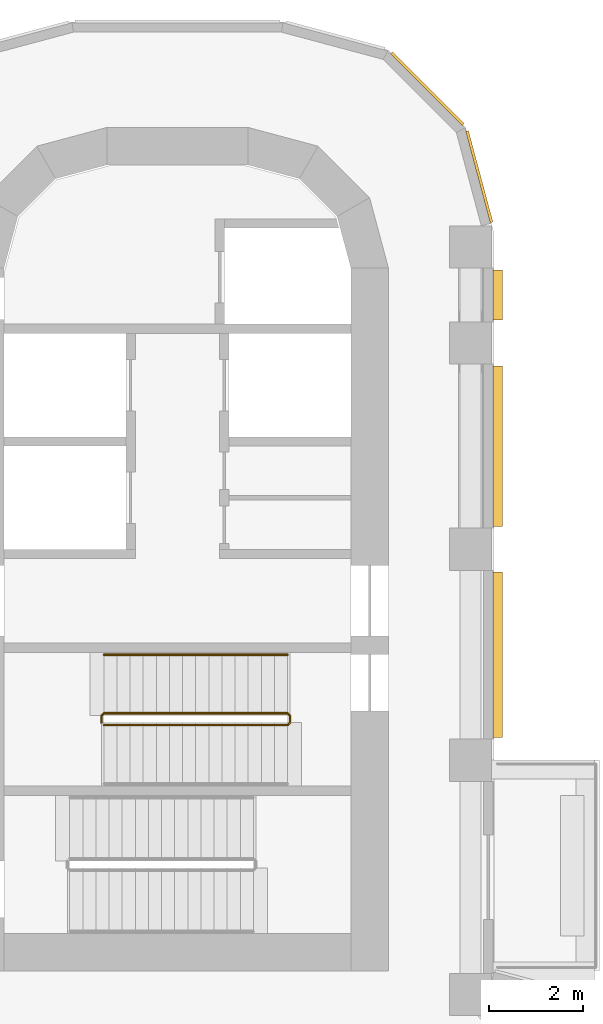
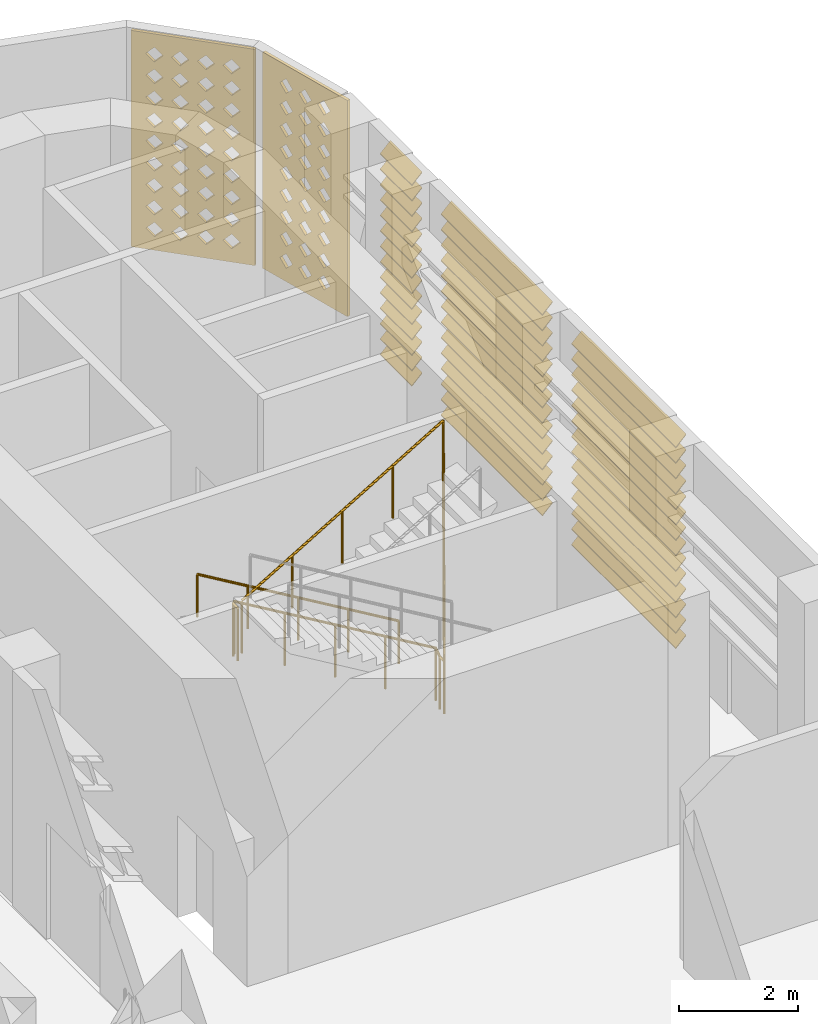
# One storey, part 18 of 20: 3 shading devices, 2 coverings, 2 railings.
"""IFC4 building model written with IfcOpenShell, lengths in metres."""

import ifcopenshell
import ifcopenshell.guid

model = None  # the IFC model being written
_history = None  # IfcOwnerHistory: only IFC2X3 demands one
_inside = {}  # id of a spatial element -> (the spatial element, [elements in it])
_under = {}  # id of a project, library or spatial element -> (it, [spatial elements below it])
_declared = {}  # id of a project -> (the project, [libraries it declares])
_typed = {}  # id of a type object -> (the type object, [elements of that type])
_made_of = {}  # id of a material, layer set ... -> (it, [elements and type objects made of it])


def new_model(schema):
    """Start an empty IFC model of exactly this schema.

    Asked for "IFC4X3", IfcOpenShell would pick the latest addendum, in which some entities
    have other attributes; the version numbers below select the first issue.
    IFC2X3 requires an IfcOwnerHistory on every rooted entity: one is made here for all.
    """
    global model, _history
    if schema == "IFC4X3":
        model = ifcopenshell.file(schema_version=(4, 3, 0, 0))
    else:
        model = ifcopenshell.file(schema=schema)
    _inside.clear()
    _under.clear()
    _declared.clear()
    _typed.clear()
    _made_of.clear()
    _history = None
    if model.schema == "IFC2X3":
        org = make("IfcOrganization", Name="unknown")
        user = make(
            "IfcPersonAndOrganization",
            ThePerson=make("IfcPerson", FamilyName="unknown"),
            TheOrganization=org,
        )
        app = make(
            "IfcApplication",
            ApplicationDeveloper=org,
            Version="unknown",
            ApplicationFullName="unknown",
            ApplicationIdentifier="unknown",
        )
        _history = make(
            "IfcOwnerHistory",
            OwningUser=user,
            OwningApplication=app,
            ChangeAction="ADDED",
            CreationDate=0,
        )
    return model


def make(cls, **values):
    """One entity of the class cls with the attributes given. An attribute that is None is left unset."""
    return model.create_entity(
        cls, **{name: value for name, value in values.items() if value is not None}
    )


def rooted(cls, **values):
    """An entity with a GlobalId (a new one), such as an element, a storey or a relation."""
    return make(cls, GlobalId=ifcopenshell.guid.new(), OwnerHistory=_history, **values)


def si_unit(unit_type, name, prefix=None):
    """IfcSIUnit, for example si_unit("LENGTHUNIT", "METRE", prefix="MILLI")."""
    return make("IfcSIUnit", UnitType=unit_type, Prefix=prefix, Name=name)


def assignment(units):
    """IfcUnitAssignment: the units of a project."""
    return None if units is None else make("IfcUnitAssignment", Units=units)


def point(xyz):
    """IfcCartesianPoint."""
    return None if xyz is None else make("IfcCartesianPoint", Coordinates=xyz)


def direction(xyz):
    """IfcDirection."""
    return None if xyz is None else make("IfcDirection", DirectionRatios=xyz)


def frame(location, z_axis=None, x_axis=None):
    """IfcAxis2Placement3D, a coordinate frame: its origin and axes. An axis left out is left unset."""
    return make(
        "IfcAxis2Placement3D",
        Location=point(location),
        Axis=direction(z_axis),
        RefDirection=direction(x_axis),
    )


def frame_2d(location, x_axis=None):
    """IfcAxis2Placement2D, a coordinate frame in the plane: its origin and x axis."""
    return make(
        "IfcAxis2Placement2D", Location=point(location), RefDirection=direction(x_axis)
    )


def origin():
    """The frame at (0, 0, 0) with its axes left unset."""
    return frame((0.0, 0.0, 0.0))


def origin_2d():
    """The frame at (0, 0) in the plane with its x axis left unset."""
    return frame_2d((0.0, 0.0))


def place(relative_to, where):
    """IfcLocalPlacement: puts the frame where relative to a parent placement (None: the world)."""
    return make(
        "IfcLocalPlacement", PlacementRelTo=relative_to, RelativePlacement=where
    )


def context(
    kind, dimensions, precision=None, world=None, true_north=None, identifier=None
):
    """IfcGeometricRepresentationContext, for example the 3D "Model" context."""
    return make(
        "IfcGeometricRepresentationContext",
        ContextIdentifier=identifier,
        ContextType=kind,
        CoordinateSpaceDimension=dimensions,
        Precision=precision,
        WorldCoordinateSystem=world,
        TrueNorth=true_north,
    )


def subcontext(parent, identifier, kind, view, scale=None):
    """IfcGeometricRepresentationSubContext, for example "Body" below "Model"."""
    return make(
        "IfcGeometricRepresentationSubContext",
        ContextIdentifier=identifier,
        ContextType=kind,
        ParentContext=parent,
        TargetScale=scale,
        TargetView=view,
    )


def project(units=None, contexts=None):
    """IfcProject with its units and contexts."""
    return rooted(
        "IfcProject",
        Name="project",
        RepresentationContexts=contexts,
        UnitsInContext=assignment(units),
    )


def spatial(cls, under=None, at=None, **own):
    """A site, building, storey or space (cls), placed at a placement, below another one or the project."""
    s = rooted(cls, ObjectPlacement=at, **own)
    if under is not None:
        _under.setdefault(under.id(), (under, []))[1].append(s)
    return s


def polyline(points):
    """IfcPolyline through the points."""
    return make("IfcPolyline", Points=[point(p) for p in points])


def profile(cls, at=None, kind="AREA", **sizes):
    """A parametric profile (cls). Its sizes go by their IFC names, for example OverallWidth=200.0."""
    return make(cls, ProfileType=kind, Position=at, **sizes)


def circle(**sizes):
    """IfcCircleProfileDef."""
    return profile("IfcCircleProfileDef", **sizes)


def outline(outer, holes=None, kind="AREA"):
    """IfcArbitraryClosedProfileDef: a profile drawn as a closed curve; with holes, ...WithVoids."""
    if holes is None:
        return make("IfcArbitraryClosedProfileDef", ProfileType=kind, OuterCurve=outer)
    return make(
        "IfcArbitraryProfileDefWithVoids",
        ProfileType=kind,
        OuterCurve=outer,
        InnerCurves=holes,
    )


def extrude(swept, where, along, depth):
    """IfcExtrudedAreaSolid: the profile swept, set in the frame where, extruded along a direction by depth."""
    return make(
        "IfcExtrudedAreaSolid",
        SweptArea=swept,
        Position=where,
        ExtrudedDirection=direction(along),
        Depth=depth,
    )


def shape(context_of_items, identifier, shape_type, items):
    """IfcShapeRepresentation: the items that make up one representation, for example the "Body"."""
    return make(
        "IfcShapeRepresentation",
        ContextOfItems=context_of_items,
        RepresentationIdentifier=identifier,
        RepresentationType=shape_type,
        Items=items,
    )


def source(mapping_origin, context_of_items, identifier, shape_type, items):
    """IfcRepresentationMap: a shape defined once, which mapped items show again and again."""
    return make(
        "IfcRepresentationMap",
        MappingOrigin=mapping_origin,
        MappedRepresentation=shape(context_of_items, identifier, shape_type, items),
    )


def transform(
    local_origin,
    x_axis=None,
    y_axis=None,
    z_axis=None,
    scale=None,
    scale2=None,
    scale3=None,
    uniform=True,
):
    """IfcCartesianTransformationOperator3D, or its non-uniform kind. x_axis, y_axis, z_axis: its Axis1, 2, 3."""
    if uniform:
        return make(
            "IfcCartesianTransformationOperator3D",
            Axis1=direction(x_axis),
            Axis2=direction(y_axis),
            LocalOrigin=point(local_origin),
            Scale=scale,
            Axis3=direction(z_axis),
        )
    return make(
        "IfcCartesianTransformationOperator3DnonUniform",
        Axis1=direction(x_axis),
        Axis2=direction(y_axis),
        LocalOrigin=point(local_origin),
        Scale=scale,
        Axis3=direction(z_axis),
        Scale2=scale2,
        Scale3=scale3,
    )


def mapped(mapping_source, mapping_target):
    """IfcMappedItem: shows the shape of a source again, moved by a transform."""
    return make(
        "IfcMappedItem", MappingSource=mapping_source, MappingTarget=mapping_target
    )


def material(Name=None, Category=None):
    """IfcMaterial."""
    return make("IfcMaterial", Name=Name, Category=Category)


def layer(
    of_material, thickness, ventilated=None, Name=None, Category=None, Priority=None
):
    """IfcMaterialLayer: one layer of a wall or slab, of a material (None: an air gap)."""
    return make(
        "IfcMaterialLayer",
        Material=of_material,
        LayerThickness=thickness,
        IsVentilated=ventilated,
        Name=Name,
        Category=Category,
        Priority=Priority,
    )


def layer_set(layers, Name=None):
    """IfcMaterialLayerSet."""
    return make("IfcMaterialLayerSet", MaterialLayers=layers, LayerSetName=Name)


def made_of(thing, what):
    """Note that an element or type object is made of a material, layer set ...; save() writes the relation."""
    if what is not None:
        _made_of.setdefault(what.id(), (what, []))[1].append(thing)
    return thing


def type_object(cls, material=None, **own):
    """A type object (cls), such as IfcWallType, which elements share."""
    return made_of(rooted(cls, **own), material)


def element(
    cls,
    number,
    at=None,
    inside=None,
    cuts=None,
    type_object=None,
    material=None,
    context=None,
    identifier="Body",
    shape_type=None,
    held_by="IfcProductDefinitionShape",
    body=None,
    shapes=None,
    **own,
):
    """One element of the class cls, such as IfcWall. Its Tag is "e" and its number.

    at: its placement. inside: the storey or other place that contains it. cuts: it is an
    opening in that element (IfcRelVoidsElement). A single representation is given by context,
    identifier, shape_type and body (its items); several are given by shapes. held_by: the class
    of the entity that holds the representations. save() writes the other relations.
    """
    e = rooted(cls, Tag="e%d" % number, ObjectPlacement=at, **own)
    if body is not None:
        shapes = [shape(context, identifier, shape_type, body)]
    if shapes is not None:
        e.Representation = make(held_by, Representations=shapes)
    if inside is not None:
        _inside.setdefault(inside.id(), (inside, []))[1].append(e)
    if cuts is not None:
        rooted(
            "IfcRelVoidsElement", RelatingBuildingElement=cuts, RelatedOpeningElement=e
        )
    if type_object is not None:
        _typed.setdefault(type_object.id(), (type_object, []))[1].append(e)
    return made_of(e, material)


def aggregate(whole, parts):
    """IfcRelAggregates: a whole, such as a stair, and the parts it consists of."""
    return rooted("IfcRelAggregates", RelatingObject=whole, RelatedObjects=parts)


def save(model, path):
    """Write the relations noted so far, then the file.

    IfcRelAggregates (storeys below a building ...), IfcRelContainedInSpatialStructure (elements
    in a storey), IfcRelDefinesByType, IfcRelAssociatesMaterial and IfcRelDeclares: one each for
    every whole, place, type object, material and project.
    """
    for whole, parts in _under.values():
        aggregate(whole, parts)
    for where, things in _inside.values():
        rooted(
            "IfcRelContainedInSpatialStructure",
            RelatedElements=things,
            RelatingStructure=where,
        )
    for kind, things in _typed.values():
        rooted("IfcRelDefinesByType", RelatedObjects=things, RelatingType=kind)
    for what, things in _made_of.values():
        rooted("IfcRelAssociatesMaterial", RelatedObjects=things, RelatingMaterial=what)
    for by, libraries in _declared.values():
        rooted("IfcRelDeclares", RelatingContext=by, RelatedDefinitions=libraries)
    model.write(path)


model = new_model("IFC4")

# Units and contexts
model_context = context("Model", 3, precision=1e-05, world=origin(), true_north=direction((0.0, 1.0)))
body_context = subcontext(model_context, "Body", "Model", "MODEL_VIEW")
ifc_project = project(units=[si_unit("LENGTHUNIT", "METRE"), si_unit("AREAUNIT", "SQUARE_METRE"), si_unit("VOLUMEUNIT", "CUBIC_METRE"), si_unit("PLANEANGLEUNIT", "RADIAN"), si_unit("MASSUNIT", "GRAM", prefix="KILO")], contexts=[model_context])

# Site, building, storey
site_placement = place(None, origin())
site = spatial("IfcSite", under=ifc_project, at=site_placement, CompositionType="ELEMENT")
building_placement = place(site_placement, origin())
building = spatial("IfcBuilding", under=site, at=building_placement, Name="Zarbagh Exchange Tower", CompositionType="ELEMENT")
storey_placement = place(building_placement, frame((0.0, 0.0, 136.0)))
storey = spatial("IfcBuildingStorey", under=building, at=storey_placement, Name="L32", CompositionType="ELEMENT", Elevation=136.0)

# Railings
ifc_material_1 = material(Name="Stainless steel", Category="steel")
railing_type_1 = type_object("IfcRailingType", Name="Stair guard 1100 mm", PredefinedType="GUARDRAIL", material=ifc_material_1)
railing_1_placement = place(storey_placement, frame((-1.570068359375, 16.5, 2.666748046875)))
element("IfcRailing", 1, at=railing_1_placement, inside=storey, type_object=railing_type_1, Name="ST1 stair guard 1", PredefinedType="GUARDRAIL", context=body_context, shape_type="SweptSolid", body=[
    extrude(circle(Radius=0.02392578125, at=origin_2d()), frame((0.0, 0.0, 1.076171875), z_axis=(0.859310244771, 0.0, 0.511454693235), x_axis=(0.0, 1.0, 0.0)), (0.0, 0.0, 1.0), 4.56201171875),
    extrude(circle(Radius=0.02392578125, at=origin_2d()), frame((3.920166015625, 0.0, 3.4091796875), z_axis=(0.009959944465, 0.010008767722, -0.999900307068), x_axis=(1.0, 0.0, 0.0)), (0.0, 0.0, 1.0), 5.00048828125),
    extrude(circle(Radius=0.02392578125, at=origin_2d()), frame((3.969970703125, 0.050048828125, -1.5908203125), z_axis=(0.0, 1.0, 0.0), x_axis=(-1.0, 0.0, 0.0)), (0.0, 0.0, 1.0), 0.14990234375),
    extrude(circle(Radius=0.02392578125, at=origin_2d()), frame((3.969970703125, 0.199951171875, -1.5908203125), z_axis=(-0.275041040955, 0.276389281352, 0.920848191041), x_axis=(-0.708833529934, -0.705375805398, 0.0)), (0.0, 0.0, 1.0), 0.18115234375),
    extrude(circle(Radius=0.02392578125, at=origin_2d()), frame((3.920166015625, 0.25, -1.423828125), z_axis=(-0.859310244771, 0.0, 0.511454693235), x_axis=(0.0, -1.0, 0.0)), (0.0, 0.0, 1.0), 4.56201171875),
    extrude(circle(Radius=0.02392578125, at=origin_2d()), frame((0.0, 0.25, 0.9091796875), z_axis=(-0.707106781187, -0.707106781187, 0.0), x_axis=(0.707106781187, -0.707106781187, 0.0)), (0.0, 0.0, 1.0), 0.07080078125),
    extrude(circle(Radius=0.02392578125, at=origin_2d()), frame((-0.050048828125, 0.199951171875, 0.9091796875), z_axis=(0.0, -1.0, 0.0), x_axis=(1.0, 0.0, 0.0)), (0.0, 0.0, 1.0), 0.14990234375),
    extrude(circle(Radius=0.02099609375, at=origin_2d()), origin(), (0.0, 0.0, 1.0), 1.052001953125),
    extrude(circle(Radius=0.02099609375, at=origin_2d()), frame((0.97998046875, 0.0, 0.583251953125)), (0.0, 0.0, 1.0), 1.052001953125),
    extrude(circle(Radius=0.02099609375, at=origin_2d()), frame((1.9599609375, 0.0, 1.16650390625)), (0.0, 0.0, 1.0), 1.052001953125),
    extrude(circle(Radius=0.02099609375, at=origin_2d()), frame((2.940185546875, 0.0, 1.75)), (0.0, 0.0, 1.0), 1.052001953125),
    extrude(circle(Radius=0.02099609375, at=origin_2d()), frame((3.920166015625, 0.0, 2.333251953125)), (0.0, 0.0, 1.0), 1.052001953125),
    extrude(circle(Radius=0.02099609375, at=origin_2d()), frame((3.93017578125, 0.010009765625, 1.333251953125)), (0.0, 0.0, 1.0), 1.052001953125),
    extrude(circle(Radius=0.02099609375, at=origin_2d()), frame((3.940185546875, 0.02001953125, 0.333251953125)), (0.0, 0.0, 1.0), 1.052001953125),
    extrude(circle(Radius=0.02099609375, at=origin_2d()), frame((3.949951171875, 0.030029296875, -0.666748046875)), (0.0, 0.0, 1.0), 1.052001953125),
    extrude(circle(Radius=0.02099609375, at=origin_2d()), frame((3.9599609375, 0.0400390625, -1.666748046875)), (0.0, 0.0, 1.0), 1.052001953125),
    extrude(circle(Radius=0.02099609375, at=origin_2d()), frame((3.969970703125, 0.050048828125, -2.666748046875)), (0.0, 0.0, 1.0), 1.052001953125),
    extrude(circle(Radius=0.02099609375, at=origin_2d()), frame((3.969970703125, 0.199951171875, -2.666748046875)), (0.0, 0.0, 1.0), 1.052001953125),
    extrude(circle(Radius=0.02099609375, at=origin_2d()), frame((3.920166015625, 0.25, -2.5)), (0.0, 0.0, 1.0), 1.052001953125),
    extrude(circle(Radius=0.02099609375, at=origin_2d()), frame((2.940185546875, 0.25, -1.916748046875)), (0.0, 0.0, 1.0), 1.052001953125),
    extrude(circle(Radius=0.02099609375, at=origin_2d()), frame((1.9599609375, 0.25, -1.33349609375)), (0.0, 0.0, 1.0), 1.052001953125),
    extrude(circle(Radius=0.02099609375, at=origin_2d()), frame((0.97998046875, 0.25, -0.75)), (0.0, 0.0, 1.0), 1.052001953125),
    extrude(circle(Radius=0.02099609375, at=origin_2d()), frame((0.0, 0.25, -0.166748046875)), (0.0, 0.0, 1.0), 1.052001953125),
    extrude(circle(Radius=0.02099609375, at=origin_2d()), frame((-0.050048828125, 0.199951171875, -0.166748046875)), (0.0, 0.0, 1.0), 1.052001953125),
    extrude(circle(Radius=0.02099609375, at=origin_2d()), frame((-0.050048828125, 0.050048828125, -0.166748046875)), (0.0, 0.0, 1.0), 1.052001953125),
])
railing_type_2 = type_object("IfcRailingType", Name="Stair handrail 900 mm", PredefinedType="HANDRAIL", material=ifc_material_1)
railing_2_placement = place(storey_placement, frame((2.35009765625, 18.0, 0.166748046875)))
element("IfcRailing", 2, at=railing_2_placement, inside=storey, type_object=railing_type_2, Name="ST1 stair handrail 1", PredefinedType="HANDRAIL", context=body_context, shape_type="SweptSolid", body=[
    extrude(circle(Radius=0.02392578125, at=origin_2d()), frame((0.0, 0.0, 0.8759765625), z_axis=(-0.859310244771, 0.0, 0.511454693235), x_axis=(0.0, -1.0, 0.0)), (0.0, 0.0, 1.0), 4.56201171875),
    extrude(circle(Radius=0.02099609375, at=origin_2d()), origin(), (0.0, 0.0, 1.0), 0.851806640625),
    extrude(circle(Radius=0.02099609375, at=origin_2d()), frame((-0.97998046875, 0.0, 0.583251953125)), (0.0, 0.0, 1.0), 0.851806640625),
    extrude(circle(Radius=0.02099609375, at=origin_2d()), frame((-1.9599609375, 0.0, 1.16650390625)), (0.0, 0.0, 1.0), 0.851806640625),
    extrude(circle(Radius=0.02099609375, at=origin_2d()), frame((-2.940185546875, 0.0, 1.75)), (0.0, 0.0, 1.0), 0.851806640625),
    extrude(circle(Radius=0.02099609375, at=origin_2d()), frame((-3.920166015625, 0.0, 2.333251953125)), (0.0, 0.0, 1.0), 0.851806640625),
])

# Covering
ifc_material_2 = material(Name="Glass-fibre reinforced concrete GFRC C50/60", Category="concrete")
ifc_layer = layer(ifc_material_2, 0.06005859375)
ifc_layer_set = layer_set([ifc_layer], Name="SCREEN jali panel, GFRC")
covering_type = type_object("IfcCoveringType", Name="SCREEN jali panel, GFRC", PredefinedType="CLADDING", material=ifc_layer_set)
shared_shape_1 = source(origin(), body_context, "Body", "SweptSolid", [
    extrude(outline(polyline([(0.0, 0.0), (2.1650390625, 0.0), (2.1650390625, 4.449951171875), (0.0, 4.449951171875), (0.0, 0.0)]), holes=[polyline([(0.257568359375, 0.425048828125), (0.407470703125, 0.27490234375), (0.5576171875, 0.425048828125), (0.407470703125, 0.574951171875), (0.257568359375, 0.425048828125)]), polyline([(0.257568359375, 0.875), (0.407470703125, 0.72509765625), (0.5576171875, 0.875), (0.407470703125, 1.02490234375), (0.257568359375, 0.875)]), polyline([(0.257568359375, 1.324951171875), (0.407470703125, 1.175048828125), (0.5576171875, 1.324951171875), (0.407470703125, 1.47509765625), (0.257568359375, 1.324951171875)]), polyline([(0.257568359375, 1.77490234375), (0.407470703125, 1.625), (0.5576171875, 1.77490234375), (0.407470703125, 1.925048828125), (0.257568359375, 1.77490234375)]), polyline([(0.257568359375, 2.22509765625), (0.407470703125, 2.074951171875), (0.5576171875, 2.22509765625), (0.407470703125, 2.375), (0.257568359375, 2.22509765625)]), polyline([(0.257568359375, 2.675048828125), (0.407470703125, 2.52490234375), (0.5576171875, 2.675048828125), (0.407470703125, 2.824951171875), (0.257568359375, 2.675048828125)]), polyline([(0.257568359375, 3.125), (0.407470703125, 2.97509765625), (0.5576171875, 3.125), (0.407470703125, 3.27490234375), (0.257568359375, 3.125)]), polyline([(0.257568359375, 3.574951171875), (0.407470703125, 3.425048828125), (0.5576171875, 3.574951171875), (0.407470703125, 3.72509765625), (0.257568359375, 3.574951171875)]), polyline([(0.257568359375, 4.02490234375), (0.407470703125, 3.875), (0.5576171875, 4.02490234375), (0.407470703125, 4.175048828125), (0.257568359375, 4.02490234375)]), polyline([(0.70751953125, 0.425048828125), (0.857421875, 0.27490234375), (1.007568359375, 0.425048828125), (0.857421875, 0.574951171875), (0.70751953125, 0.425048828125)]), polyline([(0.70751953125, 0.875), (0.857421875, 0.72509765625), (1.007568359375, 0.875), (0.857421875, 1.02490234375), (0.70751953125, 0.875)]), polyline([(0.70751953125, 1.324951171875), (0.857421875, 1.175048828125), (1.007568359375, 1.324951171875), (0.857421875, 1.47509765625), (0.70751953125, 1.324951171875)]), polyline([(0.70751953125, 1.77490234375), (0.857421875, 1.625), (1.007568359375, 1.77490234375), (0.857421875, 1.925048828125), (0.70751953125, 1.77490234375)]), polyline([(0.70751953125, 2.22509765625), (0.857421875, 2.074951171875), (1.007568359375, 2.22509765625), (0.857421875, 2.375), (0.70751953125, 2.22509765625)]), polyline([(0.70751953125, 2.675048828125), (0.857421875, 2.52490234375), (1.007568359375, 2.675048828125), (0.857421875, 2.824951171875), (0.70751953125, 2.675048828125)]), polyline([(0.70751953125, 3.125), (0.857421875, 2.97509765625), (1.007568359375, 3.125), (0.857421875, 3.27490234375), (0.70751953125, 3.125)]), polyline([(0.70751953125, 3.574951171875), (0.857421875, 3.425048828125), (1.007568359375, 3.574951171875), (0.857421875, 3.72509765625), (0.70751953125, 3.574951171875)]), polyline([(0.70751953125, 4.02490234375), (0.857421875, 3.875), (1.007568359375, 4.02490234375), (0.857421875, 4.175048828125), (0.70751953125, 4.02490234375)]), polyline([(1.157470703125, 0.425048828125), (1.3076171875, 0.27490234375), (1.45751953125, 0.425048828125), (1.3076171875, 0.574951171875), (1.157470703125, 0.425048828125)]), polyline([(1.157470703125, 0.875), (1.3076171875, 0.72509765625), (1.45751953125, 0.875), (1.3076171875, 1.02490234375), (1.157470703125, 0.875)]), polyline([(1.157470703125, 1.324951171875), (1.3076171875, 1.175048828125), (1.45751953125, 1.324951171875), (1.3076171875, 1.47509765625), (1.157470703125, 1.324951171875)]), polyline([(1.157470703125, 1.77490234375), (1.3076171875, 1.625), (1.45751953125, 1.77490234375), (1.3076171875, 1.925048828125), (1.157470703125, 1.77490234375)]), polyline([(1.157470703125, 2.22509765625), (1.3076171875, 2.074951171875), (1.45751953125, 2.22509765625), (1.3076171875, 2.375), (1.157470703125, 2.22509765625)]), polyline([(1.157470703125, 2.675048828125), (1.3076171875, 2.52490234375), (1.45751953125, 2.675048828125), (1.3076171875, 2.824951171875), (1.157470703125, 2.675048828125)]), polyline([(1.157470703125, 3.125), (1.3076171875, 2.97509765625), (1.45751953125, 3.125), (1.3076171875, 3.27490234375), (1.157470703125, 3.125)]), polyline([(1.157470703125, 3.574951171875), (1.3076171875, 3.425048828125), (1.45751953125, 3.574951171875), (1.3076171875, 3.72509765625), (1.157470703125, 3.574951171875)]), polyline([(1.157470703125, 4.02490234375), (1.3076171875, 3.875), (1.45751953125, 4.02490234375), (1.3076171875, 4.175048828125), (1.157470703125, 4.02490234375)]), polyline([(1.607421875, 0.425048828125), (1.757568359375, 0.27490234375), (1.907470703125, 0.425048828125), (1.757568359375, 0.574951171875), (1.607421875, 0.425048828125)]), polyline([(1.607421875, 0.875), (1.757568359375, 0.72509765625), (1.907470703125, 0.875), (1.757568359375, 1.02490234375), (1.607421875, 0.875)]), polyline([(1.607421875, 1.324951171875), (1.757568359375, 1.175048828125), (1.907470703125, 1.324951171875), (1.757568359375, 1.47509765625), (1.607421875, 1.324951171875)]), polyline([(1.607421875, 1.77490234375), (1.757568359375, 1.625), (1.907470703125, 1.77490234375), (1.757568359375, 1.925048828125), (1.607421875, 1.77490234375)]), polyline([(1.607421875, 2.22509765625), (1.757568359375, 2.074951171875), (1.907470703125, 2.22509765625), (1.757568359375, 2.375), (1.607421875, 2.22509765625)]), polyline([(1.607421875, 2.675048828125), (1.757568359375, 2.52490234375), (1.907470703125, 2.675048828125), (1.757568359375, 2.824951171875), (1.607421875, 2.675048828125)]), polyline([(1.607421875, 3.125), (1.757568359375, 2.97509765625), (1.907470703125, 3.125), (1.757568359375, 3.27490234375), (1.607421875, 3.125)]), polyline([(1.607421875, 3.574951171875), (1.757568359375, 3.425048828125), (1.907470703125, 3.574951171875), (1.757568359375, 3.72509765625), (1.607421875, 3.574951171875)]), polyline([(1.607421875, 4.02490234375), (1.757568359375, 3.875), (1.907470703125, 4.02490234375), (1.757568359375, 4.175048828125), (1.607421875, 4.02490234375)])]), origin(), (0.0, 0.0, 1.0), 0.06005859375),
])
placement = place(storey_placement, origin())
element("IfcCovering", 3, at=placement, inside=storey, type_object=covering_type, Name="JS49 jali screen", PredefinedType="CLADDING", context=body_context, shape_type="MappedRepresentation", body=[
    mapped(shared_shape_1, transform((6.074951171875, 29.2939453125, 0.199951171875), x_axis=(-0.707106781187, 0.707106781187, 0.0), y_axis=(0.0, 0.0, 1.0), z_axis=(0.707106781187, 0.707106781187, 0.0))),
])

# Shading devices
ifc_material_3 = material(Name="Anodised aluminium", Category="aluminium")
shading_device_type = type_object("IfcShadingDeviceType", Name="LOUVRE plant louvre, fixed blades", PredefinedType="USERDEFINED", material=ifc_material_3)
shared_shape_2 = source(origin(), body_context, "Body", "SweptSolid", [
    extrude(outline(polyline([(0.0, 0.199951171875), (0.199951171875, 0.0), (0.199951171875, -0.02001953125), (0.0, 0.179931640625), (0.0, 0.199951171875)])), origin(), (0.0, 0.0, 1.0), 3.419921875),
])
element("IfcShadingDevice", 4, at=placement, inside=storey, type_object=shading_device_type, Name="LV11 plant louvre", ObjectType="LOUVRE", PredefinedType="USERDEFINED", context=body_context, shape_type="MappedRepresentation", body=[
    mapped(shared_shape_2, transform((6.72998046875, 20.739990234375, 0.199951171875), x_axis=(1.0, 0.0, 0.0), y_axis=(0.0, 0.0, -1.0), z_axis=(0.0, 1.0, 0.0))),
    mapped(shared_shape_2, transform((6.72998046875, 20.739990234375, 0.517822265625), x_axis=(1.0, 0.0, 0.0), y_axis=(0.0, 0.0, -1.0), z_axis=(0.0, 1.0, 0.0))),
    mapped(shared_shape_2, transform((6.72998046875, 20.739990234375, 0.835693359375), x_axis=(1.0, 0.0, 0.0), y_axis=(0.0, 0.0, -1.0), z_axis=(0.0, 1.0, 0.0))),
    mapped(shared_shape_2, transform((6.72998046875, 20.739990234375, 1.153564453125), x_axis=(1.0, 0.0, 0.0), y_axis=(0.0, 0.0, -1.0), z_axis=(0.0, 1.0, 0.0))),
    mapped(shared_shape_2, transform((6.72998046875, 20.739990234375, 1.471435546875), x_axis=(1.0, 0.0, 0.0), y_axis=(0.0, 0.0, -1.0), z_axis=(0.0, 1.0, 0.0))),
    mapped(shared_shape_2, transform((6.72998046875, 20.739990234375, 1.789306640625), x_axis=(1.0, 0.0, 0.0), y_axis=(0.0, 0.0, -1.0), z_axis=(0.0, 1.0, 0.0))),
    mapped(shared_shape_2, transform((6.72998046875, 20.739990234375, 2.107177734375), x_axis=(1.0, 0.0, 0.0), y_axis=(0.0, 0.0, -1.0), z_axis=(0.0, 1.0, 0.0))),
    mapped(shared_shape_2, transform((6.72998046875, 20.739990234375, 2.425048828125), x_axis=(1.0, 0.0, 0.0), y_axis=(0.0, 0.0, -1.0), z_axis=(0.0, 1.0, 0.0))),
    mapped(shared_shape_2, transform((6.72998046875, 20.739990234375, 2.742919921875), x_axis=(1.0, 0.0, 0.0), y_axis=(0.0, 0.0, -1.0), z_axis=(0.0, 1.0, 0.0))),
    mapped(shared_shape_2, transform((6.72998046875, 20.739990234375, 3.060791015625), x_axis=(1.0, 0.0, 0.0), y_axis=(0.0, 0.0, -1.0), z_axis=(0.0, 1.0, 0.0))),
    mapped(shared_shape_2, transform((6.72998046875, 20.739990234375, 3.378662109375), x_axis=(1.0, 0.0, 0.0), y_axis=(0.0, 0.0, -1.0), z_axis=(0.0, 1.0, 0.0))),
    mapped(shared_shape_2, transform((6.72998046875, 20.739990234375, 3.696533203125), x_axis=(1.0, 0.0, 0.0), y_axis=(0.0, 0.0, -1.0), z_axis=(0.0, 1.0, 0.0))),
    mapped(shared_shape_2, transform((6.72998046875, 20.739990234375, 4.014404296875), x_axis=(1.0, 0.0, 0.0), y_axis=(0.0, 0.0, -1.0), z_axis=(0.0, 1.0, 0.0))),
    mapped(shared_shape_2, transform((6.72998046875, 20.739990234375, 4.33203125), x_axis=(1.0, 0.0, 0.0), y_axis=(0.0, 0.0, -1.0), z_axis=(0.0, 1.0, 0.0))),
])
shared_shape_3 = source(origin(), body_context, "Body", "SweptSolid", [
    extrude(outline(polyline([(0.0, 0.199951171875), (0.199951171875, 0.0), (0.199951171875, -0.02001953125), (0.0, 0.179931640625), (0.0, 0.199951171875)])), origin(), (0.0, 0.0, 1.0), 3.52001953125),
])
element("IfcShadingDevice", 5, at=placement, inside=storey, type_object=shading_device_type, Name="LV11 plant louvre", ObjectType="LOUVRE", PredefinedType="USERDEFINED", context=body_context, shape_type="MappedRepresentation", body=[
    mapped(shared_shape_3, transform((6.72998046875, 16.239990234375, 0.199951171875), x_axis=(1.0, 0.0, 0.0), y_axis=(0.0, 0.0, -1.0), z_axis=(0.0, 1.0, 0.0))),
    mapped(shared_shape_3, transform((6.72998046875, 16.239990234375, 0.517822265625), x_axis=(1.0, 0.0, 0.0), y_axis=(0.0, 0.0, -1.0), z_axis=(0.0, 1.0, 0.0))),
    mapped(shared_shape_3, transform((6.72998046875, 16.239990234375, 0.835693359375), x_axis=(1.0, 0.0, 0.0), y_axis=(0.0, 0.0, -1.0), z_axis=(0.0, 1.0, 0.0))),
    mapped(shared_shape_3, transform((6.72998046875, 16.239990234375, 1.153564453125), x_axis=(1.0, 0.0, 0.0), y_axis=(0.0, 0.0, -1.0), z_axis=(0.0, 1.0, 0.0))),
    mapped(shared_shape_3, transform((6.72998046875, 16.239990234375, 1.471435546875), x_axis=(1.0, 0.0, 0.0), y_axis=(0.0, 0.0, -1.0), z_axis=(0.0, 1.0, 0.0))),
    mapped(shared_shape_3, transform((6.72998046875, 16.239990234375, 1.789306640625), x_axis=(1.0, 0.0, 0.0), y_axis=(0.0, 0.0, -1.0), z_axis=(0.0, 1.0, 0.0))),
    mapped(shared_shape_3, transform((6.72998046875, 16.239990234375, 2.107177734375), x_axis=(1.0, 0.0, 0.0), y_axis=(0.0, 0.0, -1.0), z_axis=(0.0, 1.0, 0.0))),
    mapped(shared_shape_3, transform((6.72998046875, 16.239990234375, 2.425048828125), x_axis=(1.0, 0.0, 0.0), y_axis=(0.0, 0.0, -1.0), z_axis=(0.0, 1.0, 0.0))),
    mapped(shared_shape_3, transform((6.72998046875, 16.239990234375, 2.742919921875), x_axis=(1.0, 0.0, 0.0), y_axis=(0.0, 0.0, -1.0), z_axis=(0.0, 1.0, 0.0))),
    mapped(shared_shape_3, transform((6.72998046875, 16.239990234375, 3.060791015625), x_axis=(1.0, 0.0, 0.0), y_axis=(0.0, 0.0, -1.0), z_axis=(0.0, 1.0, 0.0))),
    mapped(shared_shape_3, transform((6.72998046875, 16.239990234375, 3.378662109375), x_axis=(1.0, 0.0, 0.0), y_axis=(0.0, 0.0, -1.0), z_axis=(0.0, 1.0, 0.0))),
    mapped(shared_shape_3, transform((6.72998046875, 16.239990234375, 3.696533203125), x_axis=(1.0, 0.0, 0.0), y_axis=(0.0, 0.0, -1.0), z_axis=(0.0, 1.0, 0.0))),
    mapped(shared_shape_3, transform((6.72998046875, 16.239990234375, 4.014404296875), x_axis=(1.0, 0.0, 0.0), y_axis=(0.0, 0.0, -1.0), z_axis=(0.0, 1.0, 0.0))),
    mapped(shared_shape_3, transform((6.72998046875, 16.239990234375, 4.33203125), x_axis=(1.0, 0.0, 0.0), y_axis=(0.0, 0.0, -1.0), z_axis=(0.0, 1.0, 0.0))),
])
shared_shape_4 = source(origin(), body_context, "Body", "SweptSolid", [
    extrude(outline(polyline([(0.0, 0.199951171875), (0.199951171875, 0.0), (0.199951171875, -0.02001953125), (0.0, 0.179931640625), (0.0, 0.199951171875)])), origin(), (0.0, 0.0, 1.0), 1.070068359375),
])
element("IfcShadingDevice", 6, at=placement, inside=storey, type_object=shading_device_type, Name="LV11 plant louvre", ObjectType="LOUVRE", PredefinedType="USERDEFINED", context=body_context, shape_type="MappedRepresentation", body=[
    mapped(shared_shape_4, transform((6.72998046875, 25.14013671875, 0.199951171875), x_axis=(1.0, 0.0, 0.0), y_axis=(0.0, 0.0, -1.0), z_axis=(0.0, 1.0, 0.0))),
    mapped(shared_shape_4, transform((6.72998046875, 25.14013671875, 0.517822265625), x_axis=(1.0, 0.0, 0.0), y_axis=(0.0, 0.0, -1.0), z_axis=(0.0, 1.0, 0.0))),
    mapped(shared_shape_4, transform((6.72998046875, 25.14013671875, 0.835693359375), x_axis=(1.0, 0.0, 0.0), y_axis=(0.0, 0.0, -1.0), z_axis=(0.0, 1.0, 0.0))),
    mapped(shared_shape_4, transform((6.72998046875, 25.14013671875, 1.153564453125), x_axis=(1.0, 0.0, 0.0), y_axis=(0.0, 0.0, -1.0), z_axis=(0.0, 1.0, 0.0))),
    mapped(shared_shape_4, transform((6.72998046875, 25.14013671875, 1.471435546875), x_axis=(1.0, 0.0, 0.0), y_axis=(0.0, 0.0, -1.0), z_axis=(0.0, 1.0, 0.0))),
    mapped(shared_shape_4, transform((6.72998046875, 25.14013671875, 1.789306640625), x_axis=(1.0, 0.0, 0.0), y_axis=(0.0, 0.0, -1.0), z_axis=(0.0, 1.0, 0.0))),
    mapped(shared_shape_4, transform((6.72998046875, 25.14013671875, 2.107177734375), x_axis=(1.0, 0.0, 0.0), y_axis=(0.0, 0.0, -1.0), z_axis=(0.0, 1.0, 0.0))),
    mapped(shared_shape_4, transform((6.72998046875, 25.14013671875, 2.425048828125), x_axis=(1.0, 0.0, 0.0), y_axis=(0.0, 0.0, -1.0), z_axis=(0.0, 1.0, 0.0))),
    mapped(shared_shape_4, transform((6.72998046875, 25.14013671875, 2.742919921875), x_axis=(1.0, 0.0, 0.0), y_axis=(0.0, 0.0, -1.0), z_axis=(0.0, 1.0, 0.0))),
    mapped(shared_shape_4, transform((6.72998046875, 25.14013671875, 3.060791015625), x_axis=(1.0, 0.0, 0.0), y_axis=(0.0, 0.0, -1.0), z_axis=(0.0, 1.0, 0.0))),
    mapped(shared_shape_4, transform((6.72998046875, 25.14013671875, 3.378662109375), x_axis=(1.0, 0.0, 0.0), y_axis=(0.0, 0.0, -1.0), z_axis=(0.0, 1.0, 0.0))),
    mapped(shared_shape_4, transform((6.72998046875, 25.14013671875, 3.696533203125), x_axis=(1.0, 0.0, 0.0), y_axis=(0.0, 0.0, -1.0), z_axis=(0.0, 1.0, 0.0))),
    mapped(shared_shape_4, transform((6.72998046875, 25.14013671875, 4.014404296875), x_axis=(1.0, 0.0, 0.0), y_axis=(0.0, 0.0, -1.0), z_axis=(0.0, 1.0, 0.0))),
    mapped(shared_shape_4, transform((6.72998046875, 25.14013671875, 4.33203125), x_axis=(1.0, 0.0, 0.0), y_axis=(0.0, 0.0, -1.0), z_axis=(0.0, 1.0, 0.0))),
])

# Covering
shared_shape_5 = source(origin(), body_context, "Body", "SweptSolid", [
    extrude(outline(polyline([(0.0, 0.0), (2.018310546875, 0.0), (2.018310546875, 4.449951171875), (0.0, 4.449951171875), (0.0, 0.0)]), holes=[polyline([(0.4091796875, 0.425048828125), (0.55908203125, 0.27490234375), (0.709228515625, 0.425048828125), (0.55908203125, 0.574951171875), (0.4091796875, 0.425048828125)]), polyline([(0.4091796875, 0.875), (0.55908203125, 0.72509765625), (0.709228515625, 0.875), (0.55908203125, 1.02490234375), (0.4091796875, 0.875)]), polyline([(0.4091796875, 1.324951171875), (0.55908203125, 1.175048828125), (0.709228515625, 1.324951171875), (0.55908203125, 1.47509765625), (0.4091796875, 1.324951171875)]), polyline([(0.4091796875, 1.77490234375), (0.55908203125, 1.625), (0.709228515625, 1.77490234375), (0.55908203125, 1.925048828125), (0.4091796875, 1.77490234375)]), polyline([(0.4091796875, 2.22509765625), (0.55908203125, 2.074951171875), (0.709228515625, 2.22509765625), (0.55908203125, 2.375), (0.4091796875, 2.22509765625)]), polyline([(0.4091796875, 2.675048828125), (0.55908203125, 2.52490234375), (0.709228515625, 2.675048828125), (0.55908203125, 2.824951171875), (0.4091796875, 2.675048828125)]), polyline([(0.4091796875, 3.125), (0.55908203125, 2.97509765625), (0.709228515625, 3.125), (0.55908203125, 3.27490234375), (0.4091796875, 3.125)]), polyline([(0.4091796875, 3.574951171875), (0.55908203125, 3.425048828125), (0.709228515625, 3.574951171875), (0.55908203125, 3.72509765625), (0.4091796875, 3.574951171875)]), polyline([(0.4091796875, 4.02490234375), (0.55908203125, 3.875), (0.709228515625, 4.02490234375), (0.55908203125, 4.175048828125), (0.4091796875, 4.02490234375)]), polyline([(0.859130859375, 0.425048828125), (1.009033203125, 0.27490234375), (1.1591796875, 0.425048828125), (1.009033203125, 0.574951171875), (0.859130859375, 0.425048828125)]), polyline([(0.859130859375, 0.875), (1.009033203125, 0.72509765625), (1.1591796875, 0.875), (1.009033203125, 1.02490234375), (0.859130859375, 0.875)]), polyline([(0.859130859375, 1.324951171875), (1.009033203125, 1.175048828125), (1.1591796875, 1.324951171875), (1.009033203125, 1.47509765625), (0.859130859375, 1.324951171875)]), polyline([(0.859130859375, 1.77490234375), (1.009033203125, 1.625), (1.1591796875, 1.77490234375), (1.009033203125, 1.925048828125), (0.859130859375, 1.77490234375)]), polyline([(0.859130859375, 2.22509765625), (1.009033203125, 2.074951171875), (1.1591796875, 2.22509765625), (1.009033203125, 2.375), (0.859130859375, 2.22509765625)]), polyline([(0.859130859375, 2.675048828125), (1.009033203125, 2.52490234375), (1.1591796875, 2.675048828125), (1.009033203125, 2.824951171875), (0.859130859375, 2.675048828125)]), polyline([(0.859130859375, 3.125), (1.009033203125, 2.97509765625), (1.1591796875, 3.125), (1.009033203125, 3.27490234375), (0.859130859375, 3.125)]), polyline([(0.859130859375, 3.574951171875), (1.009033203125, 3.425048828125), (1.1591796875, 3.574951171875), (1.009033203125, 3.72509765625), (0.859130859375, 3.574951171875)]), polyline([(0.859130859375, 4.02490234375), (1.009033203125, 3.875), (1.1591796875, 4.02490234375), (1.009033203125, 4.175048828125), (0.859130859375, 4.02490234375)]), polyline([(1.30908203125, 0.425048828125), (1.459228515625, 0.27490234375), (1.609130859375, 0.425048828125), (1.459228515625, 0.574951171875), (1.30908203125, 0.425048828125)]), polyline([(1.30908203125, 0.875), (1.459228515625, 0.72509765625), (1.609130859375, 0.875), (1.459228515625, 1.02490234375), (1.30908203125, 0.875)]), polyline([(1.30908203125, 1.324951171875), (1.459228515625, 1.175048828125), (1.609130859375, 1.324951171875), (1.459228515625, 1.47509765625), (1.30908203125, 1.324951171875)]), polyline([(1.30908203125, 1.77490234375), (1.459228515625, 1.625), (1.609130859375, 1.77490234375), (1.459228515625, 1.925048828125), (1.30908203125, 1.77490234375)]), polyline([(1.30908203125, 2.22509765625), (1.459228515625, 2.074951171875), (1.609130859375, 2.22509765625), (1.459228515625, 2.375), (1.30908203125, 2.22509765625)]), polyline([(1.30908203125, 2.675048828125), (1.459228515625, 2.52490234375), (1.609130859375, 2.675048828125), (1.459228515625, 2.824951171875), (1.30908203125, 2.675048828125)]), polyline([(1.30908203125, 3.125), (1.459228515625, 2.97509765625), (1.609130859375, 3.125), (1.459228515625, 3.27490234375), (1.30908203125, 3.125)]), polyline([(1.30908203125, 3.574951171875), (1.459228515625, 3.425048828125), (1.609130859375, 3.574951171875), (1.459228515625, 3.72509765625), (1.30908203125, 3.574951171875)]), polyline([(1.30908203125, 4.02490234375), (1.459228515625, 3.875), (1.609130859375, 4.02490234375), (1.459228515625, 4.175048828125), (1.30908203125, 4.02490234375)])]), origin(), (0.0, 0.0, 1.0), 0.06005859375),
])
element("IfcCovering", 7, at=placement, inside=storey, type_object=covering_type, Name="JS48 jali screen", PredefinedType="CLADDING", context=body_context, shape_type="MappedRepresentation", body=[
    mapped(shared_shape_5, transform((6.67138671875, 27.2158203125, 0.199951171875), x_axis=(-0.258825057666, 0.965924215207, 0.0), y_axis=(0.0, 0.0, 1.0), z_axis=(0.965924215207, 0.258825057666, 0.0))),
])

save(model, "model.ifc")
